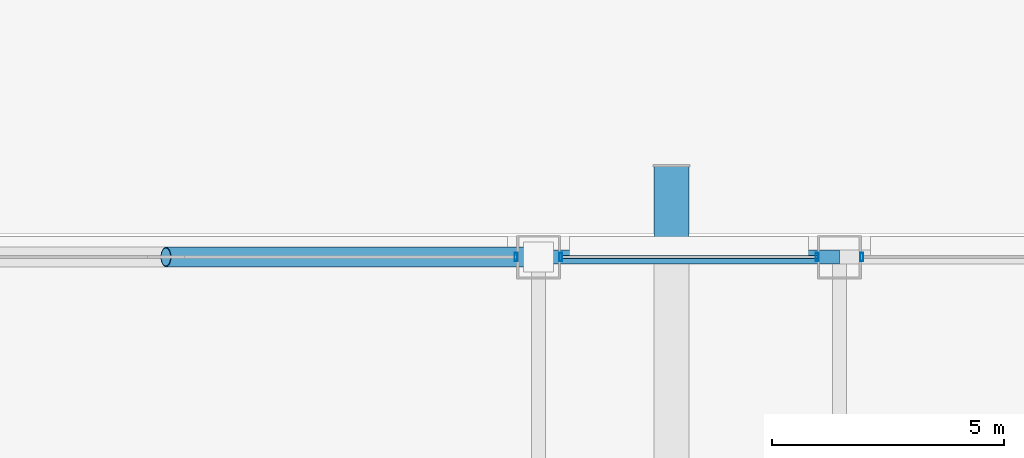
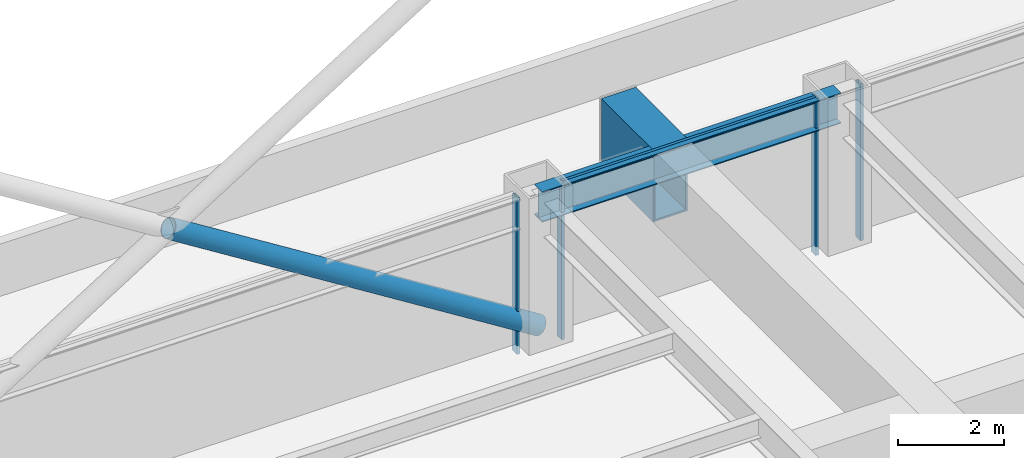
# One storey, part 24 of 33: 6 members, 2 beams, 3 elements without a shape of their own.
"""IFC4 building model written with IfcOpenShell, lengths in metres."""

from ifc_helpers import new_model, si_unit, direction, frame, origin, origin_2d, place, context, subcontext, project, spatial, hollow_rectangle, hollow_circle, i_section, extrude, material, layer, layer_set, material_profile, profile_set, type_object, element, aggregate, save


model = new_model("IFC4")

# Units and contexts
model_context = context("Model", 3, precision=1e-05, world=origin(), true_north=direction((0.0, 1.0)))
body_context = subcontext(model_context, "Body", "Model", "MODEL_VIEW")
ifc_project = project(units=[si_unit("LENGTHUNIT", "METRE"), si_unit("AREAUNIT", "SQUARE_METRE"), si_unit("VOLUMEUNIT", "CUBIC_METRE"), si_unit("PLANEANGLEUNIT", "RADIAN"), si_unit("MASSUNIT", "GRAM", prefix="KILO")], contexts=[model_context])

# Site, building, storey
site_placement = place(None, origin())
site = spatial("IfcSite", under=ifc_project, at=site_placement, CompositionType="ELEMENT")
building_placement = place(site_placement, origin())
building = spatial("IfcBuilding", under=site, at=building_placement, Name="Brelmoor Portico Tower", CompositionType="ELEMENT")
storey_placement = place(building_placement, frame((0.0, 0.0, 24.0)))
storey = spatial("IfcBuildingStorey", under=building, at=storey_placement, Name="L05", CompositionType="ELEMENT", Elevation=24.0)

# Beams
ifc_material_1 = material(Name="Steel Q355B", Category="steel")
ifc_material_profile_1 = material_profile(ifc_material_1, hollow_rectangle(XDim=0.75, YDim=1.659912109375, WallThickness=0.0419921875, at=origin_2d()), Name="BOX 750x1660x42")
ifc_profile_set_1 = profile_set([ifc_material_profile_1], Name="Steel Q355B")
beam_type_1 = type_object("IfcBeamType", Name="BM-PF-CANT", PredefinedType="BEAM", material=ifc_profile_set_1)
beam_1_placement = place(storey_placement, frame((10.919921875, 21.550048828125, 2.570068359375), z_axis=(0.0, 1.0, 0.0), x_axis=(-1.0, 0.0, 0.0)))
element("IfcBeam", 1, at=beam_1_placement, inside=storey, type_object=beam_type_1, Name="L05 Picture-Frame Outrigger Transfer Cantilever PFB-03", PredefinedType="BEAM", context=body_context, shape_type="SweptSolid", body=[
    extrude(hollow_rectangle(XDim=0.75, YDim=1.659912109375, WallThickness=0.0419921875, at=origin_2d()), origin(), (0.0, 0.0, 1.0), 1.949951171875),
])
ifc_material_profile_2 = material_profile(ifc_material_1, i_section(OverallWidth=0.300048828125, OverallDepth=0.699951171875, WebThickness=0.012939453125, FlangeThickness=0.02392578125, at=origin_2d()), Name="HN 700x300x13x24")
ifc_profile_set_2 = profile_set([ifc_material_profile_2], Name="Steel Q355B")
beam_type_2 = type_object("IfcBeamType", Name="BM-SP-700", PredefinedType="SPANDREL", material=ifc_profile_set_2)
beam_2_placement = place(storey_placement, frame((8.050048828125, 21.550048828125, 3.050048828125), z_axis=(1.0, 0.0, 0.0), x_axis=(0.0, 1.0, 0.0)))
element("IfcBeam", 2, at=beam_2_placement, inside=storey, type_object=beam_type_2, Name="L05 Perimeter Spandrel Beam SP-13", PredefinedType="SPANDREL", context=body_context, shape_type="SweptSolid", body=[
    extrude(i_section(OverallWidth=0.300048828125, OverallDepth=0.699951171875, WebThickness=0.012939453125, FlangeThickness=0.02392578125, at=origin_2d()), origin(), (0.0, 0.0, 1.0), 6.5),
])

# Member
ifc_material_profile_3 = material_profile(ifc_material_1, hollow_circle(Radius=0.212890625, WallThickness=0.02001953125, at=origin_2d()), Name="CHS 426x20")
ifc_profile_set_3 = profile_set([ifc_material_profile_3], Name="Steel Q355B")
member_type_1 = type_object("IfcMemberType", Name="MB-BELT-DIAG1", PredefinedType="BRACE", material=ifc_profile_set_3)
member_1_placement = place(storey_placement, frame((8.050048828125, 21.550048828125, 0.25), z_axis=(-0.847109476093, 0.0, 0.531418418493), x_axis=(0.0, -1.0, 0.0)))
element("IfcMember", 3, at=member_1_placement, inside=storey, type_object=member_type_1, Name="L05 Split Mega-X Brace 004B1", PredefinedType="BRACE", context=body_context, shape_type="SweptSolid", body=[
    extrude(hollow_circle(Radius=0.212890625, WallThickness=0.02001953125, at=origin_2d()), origin(), (0.0, 0.0, 1.0), 9.5029296875),
])

# Curtain wall, member
ifc_material_2 = material(Name="Anodised Aluminium Alloy 6063-T6", Category="aluminium")
ifc_layer = layer(ifc_material_2, 0.179931640625)
ifc_layer_set = layer_set([ifc_layer], Name="Anodised Aluminium Alloy 6063-T6")
curtain_wall_type = type_object("IfcCurtainWallType", Name="CW-TOWER-Z1-XB", PredefinedType="NOTDEFINED", material=ifc_layer_set)
curtain_wall_1_placement = place(storey_placement, origin())
curtain_wall_1 = element("IfcCurtainWall", 4, at=curtain_wall_1_placement, inside=storey, type_object=curtain_wall_type, Name="L05 Curtain Wall CW-L05-02-3", PredefinedType="NOTDEFINED")
ifc_material_profile_4 = material_profile(ifc_material_2, hollow_rectangle(XDim=0.06494140625, YDim=0.179931640625, WallThickness=0.00390625, at=origin_2d()), Name="ALU MULLION 65x180")
ifc_profile_set_4 = profile_set([ifc_material_profile_4], Name="Anodised Aluminium Alloy 6063-T6")
member_type_2 = type_object("IfcMemberType", Name="MB-CW-MULL-180", PredefinedType="MULLION", material=ifc_profile_set_4)
member_2_placement = place(storey_placement, frame((7.56494140625, 21.550048828125, -0.199951171875), z_axis=(0.0, 0.0, 1.0), x_axis=(1.0, 0.0, 0.0)))
member_2 = element("IfcMember", 5, at=member_2_placement, type_object=member_type_2, Name="CW-L05-02-3 Mullion 01", PredefinedType="MULLION", context=body_context, shape_type="SweptSolid", body=[
    extrude(hollow_rectangle(XDim=0.06494140625, YDim=0.179931640625, WallThickness=0.00390625, at=origin_2d()), origin(), (0.0, 0.0, 1.0), 3.599853515625),
])
aggregate(curtain_wall_1, [member_2])

# Curtain wall, members
curtain_wall_2_placement = place(storey_placement, origin())
curtain_wall_2 = element("IfcCurtainWall", 6, at=curtain_wall_2_placement, inside=storey, type_object=curtain_wall_type, Name="L05 Curtain Wall CW-L05-02-4", PredefinedType="NOTDEFINED")
member_3_placement = place(storey_placement, frame((8.534912109375, 21.550048828125, -0.199951171875), z_axis=(0.0, 0.0, 1.0), x_axis=(1.0, 0.0, 0.0)))
member_3 = element("IfcMember", 7, at=member_3_placement, type_object=member_type_2, Name="CW-L05-02-4 Mullion 00", PredefinedType="MULLION", context=body_context, shape_type="SweptSolid", body=[
    extrude(hollow_rectangle(XDim=0.06494140625, YDim=0.179931640625, WallThickness=0.00390625, at=origin_2d()), origin(), (0.0, 0.0, 1.0), 3.599853515625),
])
member_4_placement = place(storey_placement, frame((14.06494140625, 21.550048828125, -0.199951171875), z_axis=(0.0, 0.0, 1.0), x_axis=(1.0, 0.0, 0.0)))
member_4 = element("IfcMember", 8, at=member_4_placement, type_object=member_type_2, Name="CW-L05-02-4 Mullion 01", PredefinedType="MULLION", context=body_context, shape_type="SweptSolid", body=[
    extrude(hollow_rectangle(XDim=0.06494140625, YDim=0.179931640625, WallThickness=0.00390625, at=origin_2d()), origin(), (0.0, 0.0, 1.0), 3.599853515625),
])

# Curtain wall, member
curtain_wall_3_placement = place(storey_placement, origin())
curtain_wall_3 = element("IfcCurtainWall", 9, at=curtain_wall_3_placement, inside=storey, type_object=curtain_wall_type, Name="L05 Curtain Wall CW-L05-02-5", PredefinedType="NOTDEFINED")
member_5_placement = place(storey_placement, frame((15.034912109375, 21.550048828125, -0.199951171875), z_axis=(0.0, 0.0, 1.0), x_axis=(1.0, 0.0, 0.0)))
member_5 = element("IfcMember", 10, at=member_5_placement, type_object=member_type_2, Name="CW-L05-02-5 Mullion 00", PredefinedType="MULLION", context=body_context, shape_type="SweptSolid", body=[
    extrude(hollow_rectangle(XDim=0.06494140625, YDim=0.179931640625, WallThickness=0.00390625, at=origin_2d()), origin(), (0.0, 0.0, 1.0), 3.599853515625),
])
aggregate(curtain_wall_3, [member_5])

# Member
ifc_material_profile_5 = material_profile(ifc_material_2, hollow_rectangle(XDim=0.06494140625, YDim=0.139892578125, WallThickness=0.00390625, at=origin_2d()), Name="ALU TRANSOM 65x140")
ifc_profile_set_5 = profile_set([ifc_material_profile_5], Name="Anodised Aluminium Alloy 6063-T6")
member_type_3 = type_object("IfcMemberType", Name="MB-CW-TRAN-140", PredefinedType="USERDEFINED", material=ifc_profile_set_5)
member_6_placement = place(storey_placement, frame((8.534912109375, 21.550048828125, 3.330078125), z_axis=(1.0, 0.0, 0.0), x_axis=(0.0, 1.0, 0.0)))
member_6 = element("IfcMember", 11, at=member_6_placement, type_object=member_type_3, Name="CW-L05-02-4 Transom 1-00", ObjectType="TRANSOM", PredefinedType="USERDEFINED", context=body_context, shape_type="SweptSolid", body=[
    extrude(hollow_rectangle(XDim=0.06494140625, YDim=0.139892578125, WallThickness=0.00390625, at=origin_2d()), origin(), (0.0, 0.0, 1.0), 5.530029296875),
])

aggregate(curtain_wall_2, [member_3, member_4, member_6])

save(model, "model.ifc")
